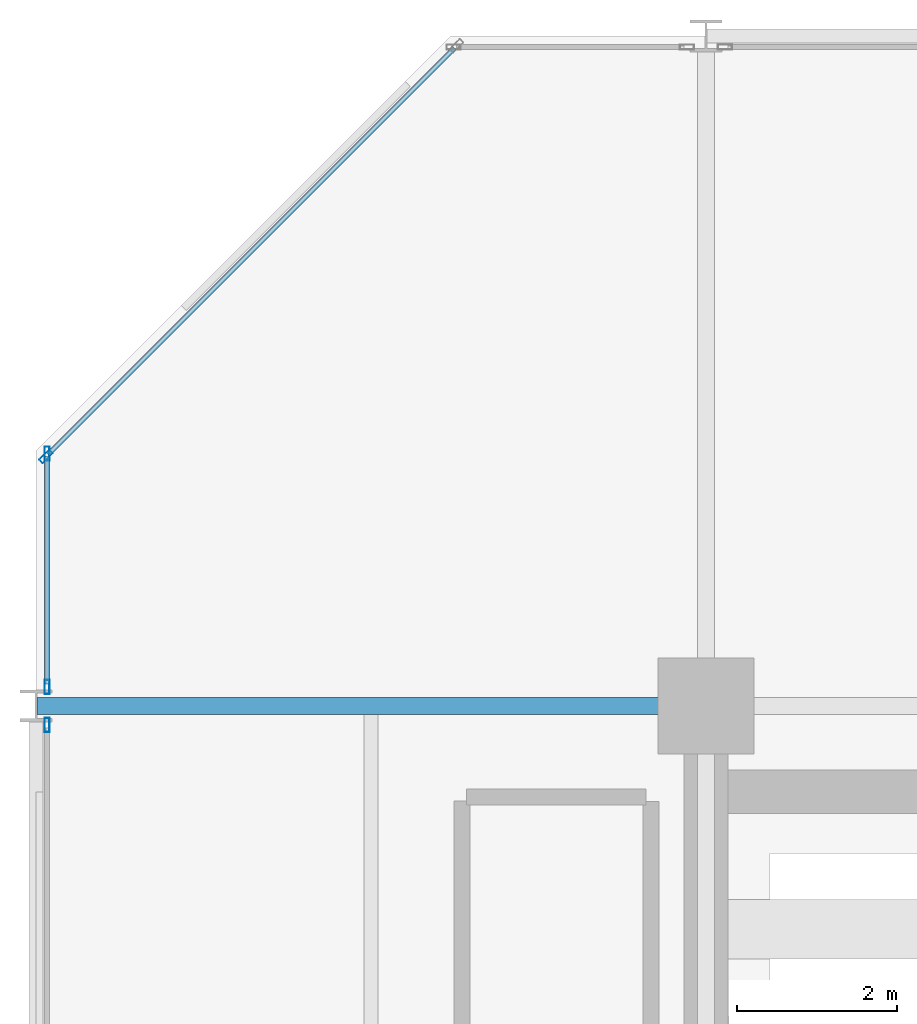
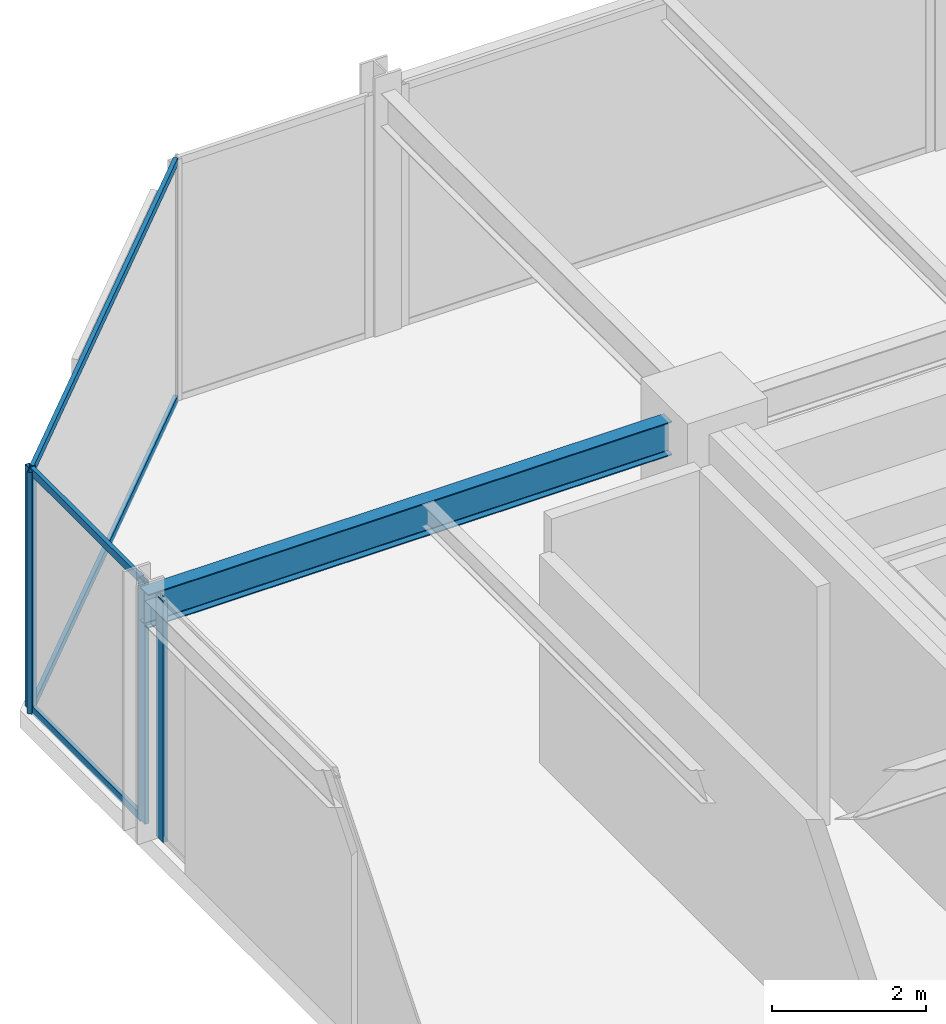
# One storey, part 18 of 29: 8 members, 1 beam, 3 elements without a shape of their own.
"""IFC4 building model written with IfcOpenShell, lengths in metres."""

from ifc_helpers import new_model, si_unit, direction, frame, origin, origin_2d, place, context, subcontext, project, spatial, hollow_rectangle, i_section, extrude, material, layer, layer_set, material_profile, profile_set, type_object, element, aggregate, save


model = new_model("IFC4")

# Units and contexts
model_context = context("Model", 3, precision=1e-05, world=origin(), true_north=direction((0.0, 1.0)))
body_context = subcontext(model_context, "Body", "Model", "MODEL_VIEW")
ifc_project = project(units=[si_unit("LENGTHUNIT", "METRE"), si_unit("AREAUNIT", "SQUARE_METRE"), si_unit("VOLUMEUNIT", "CUBIC_METRE"), si_unit("PLANEANGLEUNIT", "RADIAN"), si_unit("MASSUNIT", "GRAM", prefix="KILO")], contexts=[model_context])

# Site, building, storey
site_placement = place(None, origin())
site = spatial("IfcSite", under=ifc_project, at=site_placement, CompositionType="ELEMENT")
building_placement = place(site_placement, origin())
building = spatial("IfcBuilding", under=site, at=building_placement, Name="Nerrivon Quay Data Exchange", CompositionType="ELEMENT")
storey_placement = place(building_placement, frame((0.0, 0.0, 150.0)))
storey = spatial("IfcBuildingStorey", under=building, at=storey_placement, Name="L35", CompositionType="ELEMENT", Elevation=150.0)

# Beam
ifc_material_1 = material(Name="Steel Grade 350", Category="steel")
ifc_material_profile_1 = material_profile(ifc_material_1, i_section(OverallWidth=0.208984375, OverallDepth=0.532958984375, WebThickness=0.01025390625, FlangeThickness=0.015625, FilletRadius=0.013916015625, at=origin_2d()), Name="530UB92.4")
ifc_profile_set_1 = profile_set([ifc_material_profile_1], Name="Steel Grade 350")
beam_type = type_object("IfcBeamType", Name="BM-G3-530UB92", PredefinedType="BEAM", material=ifc_profile_set_1)
beam_placement = place(storey_placement, frame((0.012451171875, 42.0, 3.55859375), z_axis=(1.0, 0.0, 0.0), x_axis=(0.0, 1.0, 0.0)))
element("IfcBeam", 1, at=beam_placement, inside=storey, type_object=beam_type, Name="L35 EW Girder Y=42.0 (0.0..8.4)", PredefinedType="BEAM", context=body_context, shape_type="SweptSolid", body=[
    extrude(i_section(OverallWidth=0.208984375, OverallDepth=0.532958984375, WebThickness=0.01025390625, FlangeThickness=0.015625, FilletRadius=0.013916015625, at=origin_2d()), origin(), (0.0, 0.0, 1.0), 7.84765625),
])

# Curtain wall, member
ifc_material_2 = material(Name="Anodised aluminium 6063-T6", Category="aluminium")
ifc_layer = layer(ifc_material_2, 0.2099609375)
ifc_layer_set = layer_set([ifc_layer], Name="Anodised aluminium 6063-T6")
curtain_wall_type = type_object("IfcCurtainWallType", Name="CW-SYS-02", PredefinedType="NOTDEFINED", material=ifc_layer_set)
curtain_wall_1_placement = place(storey_placement, origin())
curtain_wall_1 = element("IfcCurtainWall", 2, at=curtain_wall_1_placement, inside=storey, type_object=curtain_wall_type, Name="L35 Unitised Curtain Wall 15", PredefinedType="NOTDEFINED")
ifc_material_profile_2 = material_profile(ifc_material_2, hollow_rectangle(XDim=0.06494140625, YDim=0.179931640625, WallThickness=0.00341796875, at=origin_2d()), Name="ALU-MULL-180x65")
ifc_profile_set_2 = profile_set([ifc_material_profile_2], Name="Anodised aluminium 6063-T6")
member_type_1 = type_object("IfcMemberType", Name="CWM-180x65", PredefinedType="MULLION", material=ifc_profile_set_2)
member_1_placement = place(storey_placement, frame((0.139892578125, 41.762451171875, 0.0), z_axis=(0.0, 0.0, 1.0), x_axis=(-1.0, 0.0, 0.0)))
member_1 = element("IfcMember", 3, at=member_1_placement, type_object=member_type_1, Name="CW02 mullion 2", PredefinedType="MULLION", context=body_context, shape_type="SweptSolid", body=[
    extrude(hollow_rectangle(XDim=0.06494140625, YDim=0.179931640625, WallThickness=0.00341796875, at=origin_2d()), origin(), (0.0, 0.0, 1.0), 3.824951171875),
])
aggregate(curtain_wall_1, [member_1])

# Curtain wall, members
curtain_wall_2_placement = place(storey_placement, origin())
curtain_wall_2 = element("IfcCurtainWall", 4, at=curtain_wall_2_placement, inside=storey, type_object=curtain_wall_type, Name="L35 Unitised Curtain Wall 16", PredefinedType="NOTDEFINED")
member_2_placement = place(storey_placement, frame((0.139892578125, 42.237548828125, 0.0), z_axis=(0.0, 0.0, 1.0), x_axis=(-1.0, 0.0, 0.0)))
member_2 = element("IfcMember", 5, at=member_2_placement, type_object=member_type_1, Name="CW02 mullion 1", PredefinedType="MULLION", context=body_context, shape_type="SweptSolid", body=[
    extrude(hollow_rectangle(XDim=0.06494140625, YDim=0.179931640625, WallThickness=0.00341796875, at=origin_2d()), origin(), (0.0, 0.0, 1.0), 3.824951171875),
])
member_3_placement = place(storey_placement, frame((0.139892578125, 45.16259765625, 0.0), z_axis=(0.0, 0.0, 1.0), x_axis=(-1.0, 0.0, 0.0)))
member_3 = element("IfcMember", 6, at=member_3_placement, type_object=member_type_1, Name="CW02 mullion 2", PredefinedType="MULLION", context=body_context, shape_type="SweptSolid", body=[
    extrude(hollow_rectangle(XDim=0.06494140625, YDim=0.179931640625, WallThickness=0.00341796875, at=origin_2d()), origin(), (0.0, 0.0, 1.0), 3.824951171875),
])

# Curtain wall, member
curtain_wall_3_placement = place(storey_placement, origin())
curtain_wall_3 = element("IfcCurtainWall", 7, at=curtain_wall_3_placement, inside=storey, type_object=curtain_wall_type, Name="L35 Unitised Curtain Wall 17", PredefinedType="NOTDEFINED")
member_4_placement = place(storey_placement, frame((0.12548828125, 45.12744140625, 0.0), z_axis=(0.0, 0.0, 1.0), x_axis=(-0.707106781187, 0.707106781187, 0.0)))
member_4 = element("IfcMember", 8, at=member_4_placement, type_object=member_type_1, Name="CW02 mullion 1", PredefinedType="MULLION", context=body_context, shape_type="SweptSolid", body=[
    extrude(hollow_rectangle(XDim=0.06494140625, YDim=0.179931640625, WallThickness=0.00341796875, at=origin_2d()), origin(), (0.0, 0.0, 1.0), 3.824951171875),
])

# Member
ifc_material_profile_3 = material_profile(ifc_material_2, hollow_rectangle(XDim=0.06005859375, YDim=0.1201171875, WallThickness=0.003173828125, at=origin_2d()), Name="ALU-TRAN-120x60")
ifc_profile_set_3 = profile_set([ifc_material_profile_3], Name="Anodised aluminium 6063-T6")
member_type_2 = type_object("IfcMemberType", Name="CWT-120x60", PredefinedType="USERDEFINED", material=ifc_profile_set_3)
member_5_placement = place(storey_placement, frame((0.139892578125, 42.27490234375, 0.032470703125), z_axis=(0.0, 1.0, 0.0), x_axis=(-1.0, 0.0, 0.0)))
member_5 = element("IfcMember", 9, at=member_5_placement, type_object=member_type_2, Name="CW02 transom 1.1", ObjectType="TRANSOM", PredefinedType="USERDEFINED", context=body_context, shape_type="SweptSolid", body=[
    extrude(hollow_rectangle(XDim=0.06005859375, YDim=0.1201171875, WallThickness=0.003173828125, at=origin_2d()), origin(), (0.0, 0.0, 1.0), 2.85009765625),
])

member_6_placement = place(storey_placement, frame((0.139892578125, 42.27490234375, 3.79248046875), z_axis=(0.0, 1.0, 0.0), x_axis=(-1.0, 0.0, 0.0)))
member_6 = element("IfcMember", 10, at=member_6_placement, type_object=member_type_2, Name="CW02 transom 1.2", ObjectType="TRANSOM", PredefinedType="USERDEFINED", context=body_context, shape_type="SweptSolid", body=[
    extrude(hollow_rectangle(XDim=0.06005859375, YDim=0.1201171875, WallThickness=0.003173828125, at=origin_2d()), origin(), (0.0, 0.0, 1.0), 2.85009765625),
])

aggregate(curtain_wall_2, [member_2, member_3, member_5, member_6])

member_7_placement = place(storey_placement, frame((0.152099609375, 45.154052734375, 0.032470703125), z_axis=(0.707089835771, 0.707123726196, 0.0), x_axis=(-0.707123726196, 0.707089835771, 0.0)))
member_7 = element("IfcMember", 11, at=member_7_placement, type_object=member_type_2, Name="CW02 transom 1.1", ObjectType="TRANSOM", PredefinedType="USERDEFINED", context=body_context, shape_type="SweptSolid", body=[
    extrude(hollow_rectangle(XDim=0.06005859375, YDim=0.1201171875, WallThickness=0.003173828125, at=origin_2d()), origin(), (0.0, 0.0, 1.0), 7.203857421875),
])

member_8_placement = place(storey_placement, frame((0.152099609375, 45.154052734375, 3.79248046875), z_axis=(0.707089835771, 0.707123726196, 0.0), x_axis=(-0.707123726196, 0.707089835771, 0.0)))
member_8 = element("IfcMember", 12, at=member_8_placement, type_object=member_type_2, Name="CW02 transom 1.2", ObjectType="TRANSOM", PredefinedType="USERDEFINED", context=body_context, shape_type="SweptSolid", body=[
    extrude(hollow_rectangle(XDim=0.06005859375, YDim=0.1201171875, WallThickness=0.003173828125, at=origin_2d()), origin(), (0.0, 0.0, 1.0), 7.203857421875),
])

aggregate(curtain_wall_3, [member_4, member_7, member_8])

save(model, "model.ifc")
